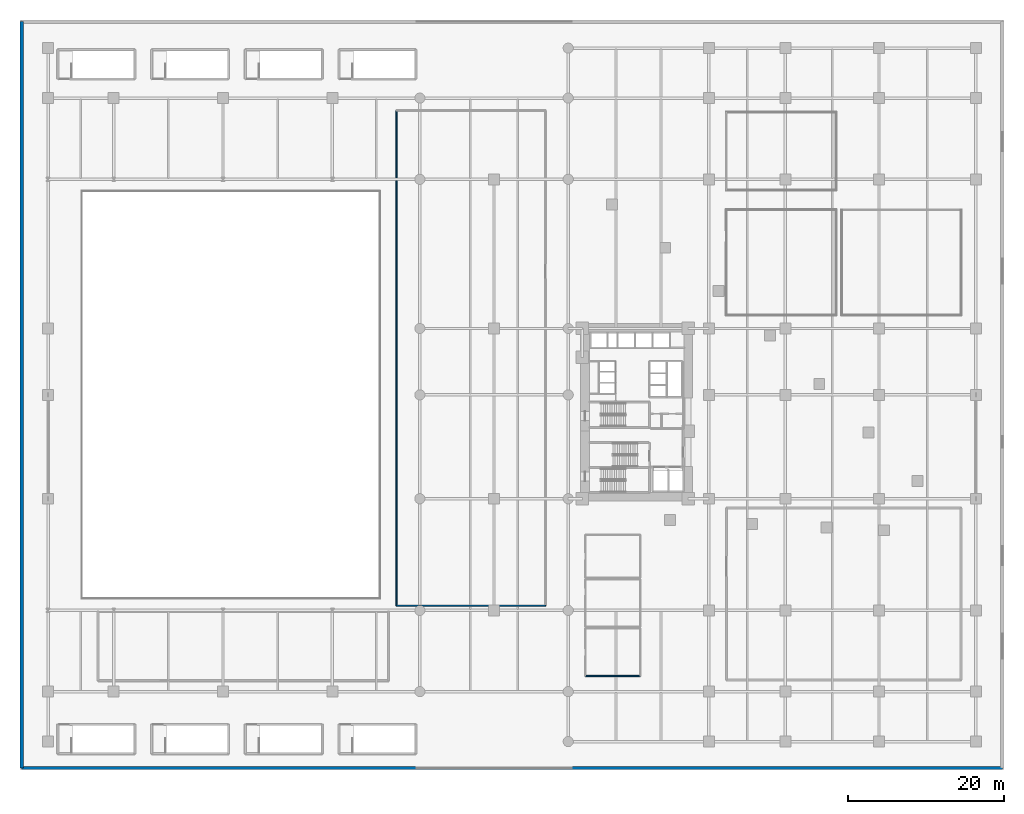
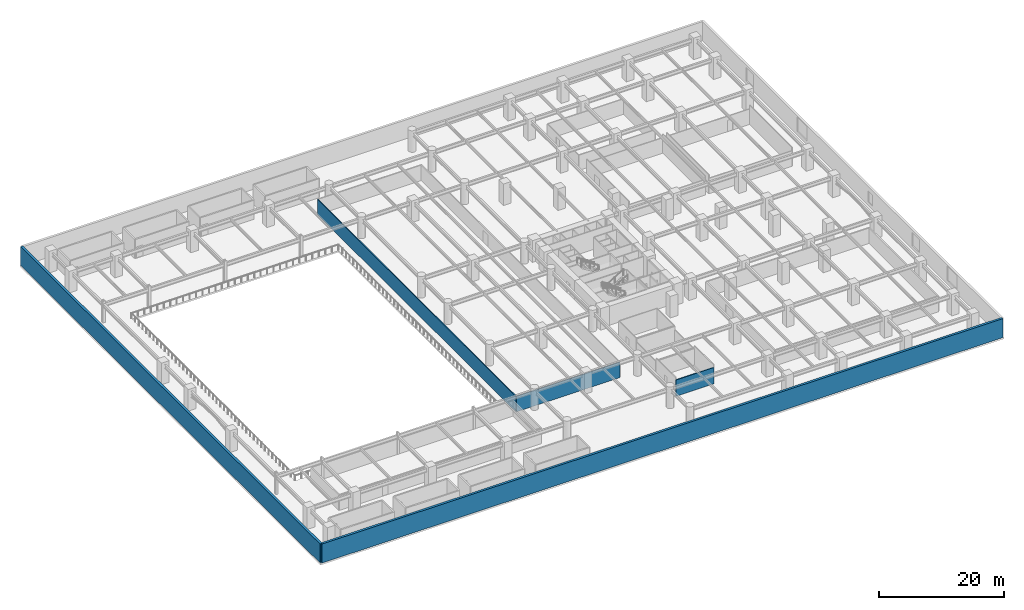
# One storey, part 9 of 20: 5 walls.
"""IFC4 building model written with IfcOpenShell, lengths in metres."""

import ifcopenshell
import ifcopenshell.guid

model = None  # the IFC model being written
_history = None  # IfcOwnerHistory: only IFC2X3 demands one
_inside = {}  # id of a spatial element -> (the spatial element, [elements in it])
_under = {}  # id of a project, library or spatial element -> (it, [spatial elements below it])
_declared = {}  # id of a project -> (the project, [libraries it declares])
_typed = {}  # id of a type object -> (the type object, [elements of that type])
_made_of = {}  # id of a material, layer set ... -> (it, [elements and type objects made of it])


def new_model(schema):
    """Start an empty IFC model of exactly this schema.

    Asked for "IFC4X3", IfcOpenShell would pick the latest addendum, in which some entities
    have other attributes; the version numbers below select the first issue.
    IFC2X3 requires an IfcOwnerHistory on every rooted entity: one is made here for all.
    """
    global model, _history
    if schema == "IFC4X3":
        model = ifcopenshell.file(schema_version=(4, 3, 0, 0))
    else:
        model = ifcopenshell.file(schema=schema)
    _inside.clear()
    _under.clear()
    _declared.clear()
    _typed.clear()
    _made_of.clear()
    _history = None
    if model.schema == "IFC2X3":
        org = make("IfcOrganization", Name="unknown")
        user = make(
            "IfcPersonAndOrganization",
            ThePerson=make("IfcPerson", FamilyName="unknown"),
            TheOrganization=org,
        )
        app = make(
            "IfcApplication",
            ApplicationDeveloper=org,
            Version="unknown",
            ApplicationFullName="unknown",
            ApplicationIdentifier="unknown",
        )
        _history = make(
            "IfcOwnerHistory",
            OwningUser=user,
            OwningApplication=app,
            ChangeAction="ADDED",
            CreationDate=0,
        )
    return model


def make(cls, **values):
    """One entity of the class cls with the attributes given. An attribute that is None is left unset."""
    return model.create_entity(
        cls, **{name: value for name, value in values.items() if value is not None}
    )


def rooted(cls, **values):
    """An entity with a GlobalId (a new one), such as an element, a storey or a relation."""
    return make(cls, GlobalId=ifcopenshell.guid.new(), OwnerHistory=_history, **values)


def si_unit(unit_type, name, prefix=None):
    """IfcSIUnit, for example si_unit("LENGTHUNIT", "METRE", prefix="MILLI")."""
    return make("IfcSIUnit", UnitType=unit_type, Prefix=prefix, Name=name)


def assignment(units):
    """IfcUnitAssignment: the units of a project."""
    return None if units is None else make("IfcUnitAssignment", Units=units)


def point(xyz):
    """IfcCartesianPoint."""
    return None if xyz is None else make("IfcCartesianPoint", Coordinates=xyz)


def direction(xyz):
    """IfcDirection."""
    return None if xyz is None else make("IfcDirection", DirectionRatios=xyz)


def frame(location, z_axis=None, x_axis=None):
    """IfcAxis2Placement3D, a coordinate frame: its origin and axes. An axis left out is left unset."""
    return make(
        "IfcAxis2Placement3D",
        Location=point(location),
        Axis=direction(z_axis),
        RefDirection=direction(x_axis),
    )


def frame_2d(location, x_axis=None):
    """IfcAxis2Placement2D, a coordinate frame in the plane: its origin and x axis."""
    return make(
        "IfcAxis2Placement2D", Location=point(location), RefDirection=direction(x_axis)
    )


def origin():
    """The frame at (0, 0, 0) with its axes left unset."""
    return frame((0.0, 0.0, 0.0))


def place(relative_to, where):
    """IfcLocalPlacement: puts the frame where relative to a parent placement (None: the world)."""
    return make(
        "IfcLocalPlacement", PlacementRelTo=relative_to, RelativePlacement=where
    )


def context(
    kind, dimensions, precision=None, world=None, true_north=None, identifier=None
):
    """IfcGeometricRepresentationContext, for example the 3D "Model" context."""
    return make(
        "IfcGeometricRepresentationContext",
        ContextIdentifier=identifier,
        ContextType=kind,
        CoordinateSpaceDimension=dimensions,
        Precision=precision,
        WorldCoordinateSystem=world,
        TrueNorth=true_north,
    )


def subcontext(parent, identifier, kind, view, scale=None):
    """IfcGeometricRepresentationSubContext, for example "Body" below "Model"."""
    return make(
        "IfcGeometricRepresentationSubContext",
        ContextIdentifier=identifier,
        ContextType=kind,
        ParentContext=parent,
        TargetScale=scale,
        TargetView=view,
    )


def project(units=None, contexts=None):
    """IfcProject with its units and contexts."""
    return rooted(
        "IfcProject",
        Name="project",
        RepresentationContexts=contexts,
        UnitsInContext=assignment(units),
    )


def spatial(cls, under=None, at=None, **own):
    """A site, building, storey or space (cls), placed at a placement, below another one or the project."""
    s = rooted(cls, ObjectPlacement=at, **own)
    if under is not None:
        _under.setdefault(under.id(), (under, []))[1].append(s)
    return s


def profile(cls, at=None, kind="AREA", **sizes):
    """A parametric profile (cls). Its sizes go by their IFC names, for example OverallWidth=200.0."""
    return make(cls, ProfileType=kind, Position=at, **sizes)


def rectangle(**sizes):
    """IfcRectangleProfileDef."""
    return profile("IfcRectangleProfileDef", **sizes)


def extrude(swept, where, along, depth):
    """IfcExtrudedAreaSolid: the profile swept, set in the frame where, extruded along a direction by depth."""
    return make(
        "IfcExtrudedAreaSolid",
        SweptArea=swept,
        Position=where,
        ExtrudedDirection=direction(along),
        Depth=depth,
    )


def shape(context_of_items, identifier, shape_type, items):
    """IfcShapeRepresentation: the items that make up one representation, for example the "Body"."""
    return make(
        "IfcShapeRepresentation",
        ContextOfItems=context_of_items,
        RepresentationIdentifier=identifier,
        RepresentationType=shape_type,
        Items=items,
    )


def material(Name=None, Category=None):
    """IfcMaterial."""
    return make("IfcMaterial", Name=Name, Category=Category)


def layer(
    of_material, thickness, ventilated=None, Name=None, Category=None, Priority=None
):
    """IfcMaterialLayer: one layer of a wall or slab, of a material (None: an air gap)."""
    return make(
        "IfcMaterialLayer",
        Material=of_material,
        LayerThickness=thickness,
        IsVentilated=ventilated,
        Name=Name,
        Category=Category,
        Priority=Priority,
    )


def layer_set(layers, Name=None):
    """IfcMaterialLayerSet."""
    return make("IfcMaterialLayerSet", MaterialLayers=layers, LayerSetName=Name)


def made_of(thing, what):
    """Note that an element or type object is made of a material, layer set ...; save() writes the relation."""
    if what is not None:
        _made_of.setdefault(what.id(), (what, []))[1].append(thing)
    return thing


def type_object(cls, material=None, **own):
    """A type object (cls), such as IfcWallType, which elements share."""
    return made_of(rooted(cls, **own), material)


def element(
    cls,
    number,
    at=None,
    inside=None,
    cuts=None,
    type_object=None,
    material=None,
    context=None,
    identifier="Body",
    shape_type=None,
    held_by="IfcProductDefinitionShape",
    body=None,
    shapes=None,
    **own,
):
    """One element of the class cls, such as IfcWall. Its Tag is "e" and its number.

    at: its placement. inside: the storey or other place that contains it. cuts: it is an
    opening in that element (IfcRelVoidsElement). A single representation is given by context,
    identifier, shape_type and body (its items); several are given by shapes. held_by: the class
    of the entity that holds the representations. save() writes the other relations.
    """
    e = rooted(cls, Tag="e%d" % number, ObjectPlacement=at, **own)
    if body is not None:
        shapes = [shape(context, identifier, shape_type, body)]
    if shapes is not None:
        e.Representation = make(held_by, Representations=shapes)
    if inside is not None:
        _inside.setdefault(inside.id(), (inside, []))[1].append(e)
    if cuts is not None:
        rooted(
            "IfcRelVoidsElement", RelatingBuildingElement=cuts, RelatedOpeningElement=e
        )
    if type_object is not None:
        _typed.setdefault(type_object.id(), (type_object, []))[1].append(e)
    return made_of(e, material)


def aggregate(whole, parts):
    """IfcRelAggregates: a whole, such as a stair, and the parts it consists of."""
    return rooted("IfcRelAggregates", RelatingObject=whole, RelatedObjects=parts)


def save(model, path):
    """Write the relations noted so far, then the file.

    IfcRelAggregates (storeys below a building ...), IfcRelContainedInSpatialStructure (elements
    in a storey), IfcRelDefinesByType, IfcRelAssociatesMaterial and IfcRelDeclares: one each for
    every whole, place, type object, material and project.
    """
    for whole, parts in _under.values():
        aggregate(whole, parts)
    for where, things in _inside.values():
        rooted(
            "IfcRelContainedInSpatialStructure",
            RelatedElements=things,
            RelatingStructure=where,
        )
    for kind, things in _typed.values():
        rooted("IfcRelDefinesByType", RelatedObjects=things, RelatingType=kind)
    for what, things in _made_of.values():
        rooted("IfcRelAssociatesMaterial", RelatedObjects=things, RelatingMaterial=what)
    for by, libraries in _declared.values():
        rooted("IfcRelDeclares", RelatingContext=by, RelatedDefinitions=libraries)
    model.write(path)


model = new_model("IFC4")

# Units and contexts
model_context = context("Model", 3, precision=1e-05, world=origin(), true_north=direction((0.0, 1.0)))
body_context = subcontext(model_context, "Body", "Model", "MODEL_VIEW")
ifc_project = project(units=[si_unit("LENGTHUNIT", "METRE"), si_unit("AREAUNIT", "SQUARE_METRE"), si_unit("VOLUMEUNIT", "CUBIC_METRE"), si_unit("PLANEANGLEUNIT", "RADIAN"), si_unit("MASSUNIT", "GRAM", prefix="KILO")], contexts=[model_context])

# Site, building, storey
site_placement = place(None, origin())
site = spatial("IfcSite", under=ifc_project, at=site_placement, CompositionType="ELEMENT")
building_placement = place(site_placement, origin())
building = spatial("IfcBuilding", under=site, at=building_placement, Name="Narakoshi Arena Tower", CompositionType="ELEMENT")
storey_placement = place(building_placement, frame((0.0, 0.0, 17.39990234375)))
storey = spatial("IfcBuildingStorey", under=building, at=storey_placement, Name="L04", CompositionType="ELEMENT", Elevation=17.39990234375)

# Walls
ifc_material_1 = material(Name="Gypsum plasterboard fire-rated partition")
ifc_layer_1 = layer(ifc_material_1, 0.1650390625)
ifc_layer_set_1 = layer_set([ifc_layer_1], Name="Gypsum plasterboard fire-rated partition")
wall_type_1 = type_object("IfcWallType", Name="WL-CORR-165", PredefinedType="PARTITIONING", material=ifc_layer_set_1)
wall_1_placement = place(storey_placement, frame((48.199951171875, 21.0, 0.0), z_axis=(0.0, 0.0, 1.0), x_axis=(1.0, 0.0, 0.0)))
element("IfcWall", 1, at=wall_1_placement, inside=storey, type_object=wall_type_1, Name="L04 Concourse Exhibition Conference Suite Wall S", PredefinedType="PARTITIONING", context=body_context, shape_type="SweptSolid", body=[
    extrude(rectangle(XDim=19.10009765625, YDim=0.1650390625, at=frame_2d((9.550048828125, 0.0))), origin(), (0.0, 0.0, 1.0), 2.985107421875),
])
wall_2_placement = place(storey_placement, frame((48.199951171875, 84.39990234375, 0.0), z_axis=(0.0, 0.0, 1.0), x_axis=(0.0, -1.0, 0.0)))
element("IfcWall", 2, at=wall_2_placement, inside=storey, type_object=wall_type_1, Name="L04 Concourse Exhibition Conference Suite Wall W", PredefinedType="PARTITIONING", context=body_context, shape_type="SweptSolid", body=[
    extrude(rectangle(XDim=63.39990234375, YDim=0.1650390625, at=frame_2d((31.699951171875, 0.0))), origin(), (0.0, 0.0, 1.0), 2.985107421875),
])
ifc_material_2 = material(Name="Precast concrete C45/55", Category="concrete")
ifc_layer_2 = layer(ifc_material_2, 0.419921875)
ifc_layer_set_2 = layer_set([ifc_layer_2], Name="Precast concrete C45/55")
wall_type_2 = type_object("IfcWallType", Name="WL-POD-420", PredefinedType="SOLIDWALL", material=ifc_layer_set_2)
wall_3_placement = place(storey_placement, frame((0.2099609375, 0.2099609375, 0.0), z_axis=(0.0, 0.0, 1.0), x_axis=(1.0, 0.0, 0.0)))
element("IfcWall", 3, at=wall_3_placement, inside=storey, type_object=wall_type_2, Name="L04 Podium Precast Facade Wall S", PredefinedType="SOLIDWALL", context=body_context, shape_type="SweptSolid", body=[
    extrude(rectangle(XDim=125.580078125, YDim=0.419921875, at=frame_2d((62.7900390625, 0.0))), origin(), (0.0, 0.0, 1.0), 3.7001953125),
])
wall_4_placement = place(storey_placement, frame((0.2099609375, 95.7900390625, 0.0), z_axis=(0.0, 0.0, 1.0), x_axis=(0.0, -1.0, 0.0)))
element("IfcWall", 4, at=wall_4_placement, inside=storey, type_object=wall_type_2, Name="L04 Podium Precast Facade Wall W", PredefinedType="SOLIDWALL", context=body_context, shape_type="SweptSolid", body=[
    extrude(rectangle(XDim=95.580078125, YDim=0.419921875, at=frame_2d((47.7900390625, 0.0))), origin(), (0.0, 0.0, 1.0), 3.7001953125),
])
ifc_material_3 = material(Name="Moisture-resistant cement-board partition")
ifc_layer_3 = layer(ifc_material_3, 0.14501953125)
ifc_layer_set_3 = layer_set([ifc_layer_3], Name="Moisture-resistant cement-board partition")
wall_type_3 = type_object("IfcWallType", Name="WL-WET-145", PredefinedType="PARTITIONING", material=ifc_layer_set_3)
wall_5_placement = place(storey_placement, frame((72.39990234375, 12.0, 0.0), z_axis=(0.0, 0.0, 1.0), x_axis=(1.0, 0.0, 0.0)))
element("IfcWall", 5, at=wall_5_placement, inside=storey, type_object=wall_type_3, Name="L04 Level L04 Male Restroom WC Wall S", PredefinedType="PARTITIONING", context=body_context, shape_type="SweptSolid", body=[
    extrude(rectangle(XDim=7.0, YDim=0.14501953125, at=frame_2d((3.5, 0.0))), origin(), (0.0, 0.0, 1.0), 3.18505859375),
])

save(model, "model.ifc")
